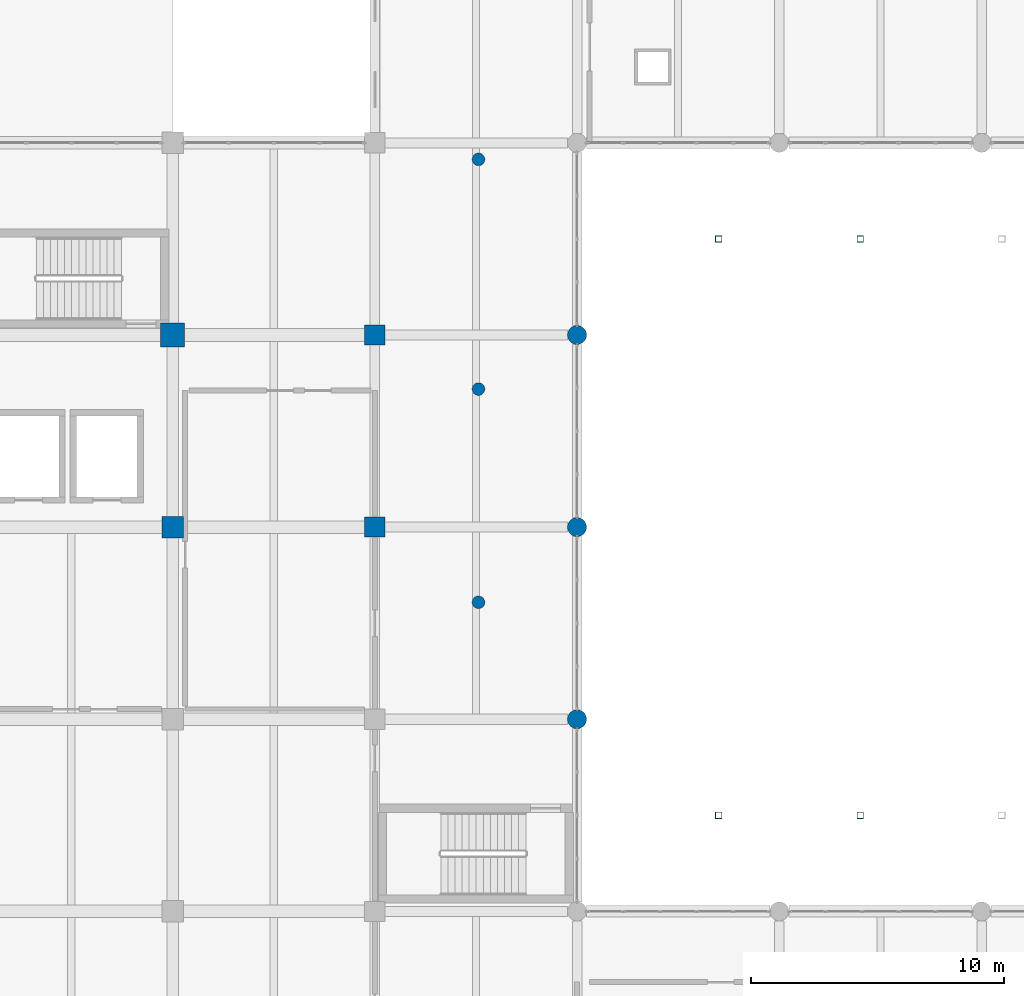
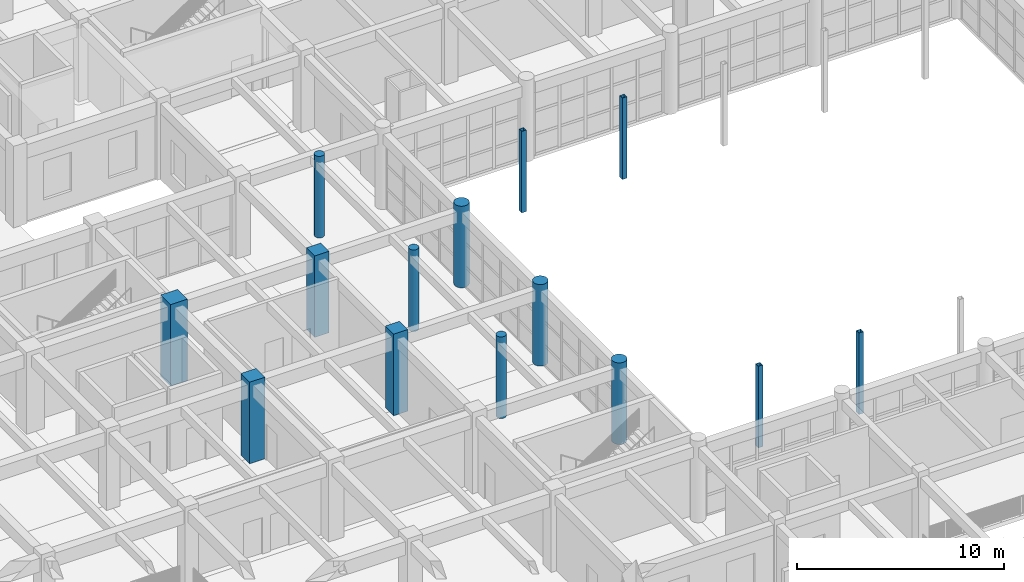
# One storey, part 2 of 101: 14 columns.
"""IFC4 building model written with IfcOpenShell, lengths in metres."""

from ifc_helpers import new_model, si_unit, direction, frame, origin, origin_2d, place, context, subcontext, project, spatial, rectangle, hollow_rectangle, circle, extrude, material, material_profile, profile_set, type_object, element, save


model = new_model("IFC4")

# Units and contexts
model_context = context("Model", 3, precision=1e-05, world=origin(), true_north=direction((0.0, 1.0)))
body_context = subcontext(model_context, "Body", "Model", "MODEL_VIEW")
ifc_project = project(units=[si_unit("LENGTHUNIT", "METRE"), si_unit("AREAUNIT", "SQUARE_METRE"), si_unit("VOLUMEUNIT", "CUBIC_METRE"), si_unit("PLANEANGLEUNIT", "RADIAN"), si_unit("MASSUNIT", "GRAM", prefix="KILO")], contexts=[model_context])

# Site, building, storey
site_placement = place(None, origin())
site = spatial("IfcSite", under=ifc_project, at=site_placement, CompositionType="ELEMENT")
building_placement = place(site_placement, origin())
building = spatial("IfcBuilding", under=site, at=building_placement, Name="Zantavel Square City Hall", CompositionType="ELEMENT")
storey_placement = place(building_placement, frame((0.0, 0.0, 5.39990234375)))
storey = spatial("IfcBuildingStorey", under=building, at=storey_placement, Name="L02", CompositionType="ELEMENT", Elevation=5.39990234375)

# Columns
ifc_material_1 = material(Name="Concrete C40/50", Category="concrete")
ifc_material_profile_1 = material_profile(ifc_material_1, rectangle(XDim=0.800048828125, YDim=0.800048828125, at=origin_2d()), Name="RC 800x800")
ifc_profile_set_1 = profile_set([ifc_material_profile_1], Name="Concrete C40/50")
column_type_1 = type_object("IfcColumnType", Name="Column RC 800x800 C40/50", PredefinedType="COLUMN", material=ifc_profile_set_1)
for number, where, z_axis, x_axis, name in (
    (1, (112.0, 53.199951171875, 0.0), (0.0, 0.0, 1.0), (1.0, 0.0, 0.0), "L02 Column COL-L02-1120-0532"),
    (2, (112.0, 60.800048828125, 0.0), (0.0, 0.0, 1.0), (1.0, 0.0, 0.0), "L02 Column COL-L02-1120-0608"),
):
    element("IfcColumn", number, at=place(storey_placement, frame(where, z_axis=z_axis, x_axis=x_axis)), inside=storey, type_object=column_type_1, Name=name, PredefinedType="COLUMN", context=body_context, shape_type="SweptSolid", body=[
        extrude(rectangle(XDim=0.800048828125, YDim=0.800048828125, at=origin_2d()), origin(), (0.0, 0.0, 1.0), 4.800048828125),
    ])
ifc_material_profile_2 = material_profile(ifc_material_1, rectangle(XDim=0.85009765625, YDim=0.85009765625, at=origin_2d()), Name="RC 850x850")
ifc_profile_set_2 = profile_set([ifc_material_profile_2], Name="Concrete C40/50")
column_type_2 = type_object("IfcColumnType", Name="Column RC 850x850 C40/50", PredefinedType="COLUMN", material=ifc_profile_set_2)
column_1_placement = place(storey_placement, frame((104.0, 53.199951171875, 0.0), z_axis=(0.0, 0.0, 1.0), x_axis=(1.0, 0.0, 0.0)))
element("IfcColumn", 3, at=column_1_placement, inside=storey, type_object=column_type_2, Name="L02 Column COL-L02-1040-0532", PredefinedType="COLUMN", context=body_context, shape_type="SweptSolid", body=[
    extrude(rectangle(XDim=0.85009765625, YDim=0.85009765625, at=origin_2d()), origin(), (0.0, 0.0, 1.0), 4.800048828125),
])
ifc_material_profile_3 = material_profile(ifc_material_1, circle(Radius=0.375, at=origin_2d()), Name="ROUND D750")
ifc_profile_set_3 = profile_set([ifc_material_profile_3], Name="Concrete C40/50")
column_type_3 = type_object("IfcColumnType", Name="Courtyard Ionic Column D750 C40/50", PredefinedType="COLUMN", material=ifc_profile_set_3)
for number, where, z_axis, x_axis, name in (
    (4, (120.0, 45.60009765625, 0.0), (0.0, 0.0, 1.0), (1.0, 0.0, 0.0), "L02 Column COL-L02-1200-0456"),
    (5, (120.0, 53.199951171875, 0.0), (0.0, 0.0, 1.0), (1.0, 0.0, 0.0), "L02 Column COL-L02-1200-0532"),
    (6, (120.0, 60.800048828125, 0.0), (0.0, 0.0, 1.0), (1.0, 0.0, 0.0), "L02 Column COL-L02-1200-0608"),
):
    element("IfcColumn", number, at=place(storey_placement, frame(where, z_axis=z_axis, x_axis=x_axis)), inside=storey, type_object=column_type_3, Name=name, PredefinedType="COLUMN", context=body_context, shape_type="SweptSolid", body=[
        extrude(circle(Radius=0.375, at=origin_2d()), origin(), (0.0, 0.0, 1.0), 4.800048828125),
    ])
ifc_material_2 = material(Name="Steel ASTM A500 Grade B", Category="steel")
ifc_material_profile_4 = material_profile(ifc_material_2, hollow_rectangle(XDim=0.25390625, YDim=0.25390625, WallThickness=0.0126953125, at=origin_2d()), Name="HSS 254x254x12.7")
ifc_profile_set_4 = profile_set([ifc_material_profile_4], Name="Steel ASTM A500 Grade B")
column_type_4 = type_object("IfcColumnType", Name="Pavilion Steel Column HSS254", PredefinedType="COLUMN", material=ifc_profile_set_4)
for number, where, z_axis, x_axis, name in (
    (7, (125.60009765625, 41.800048828125, 0.0), (0.0, 0.0, 1.0), (1.0, 0.0, 0.0), "L02 Courtyard Skylight Column 1-S"),
    (8, (125.60009765625, 64.60009765625, 0.0), (0.0, 0.0, 1.0), (1.0, 0.0, 0.0), "L02 Courtyard Skylight Column 1-N"),
    (9, (131.199951171875, 41.800048828125, 0.0), (0.0, 0.0, 1.0), (1.0, 0.0, 0.0), "L02 Courtyard Skylight Column 2-S"),
    (10, (131.199951171875, 64.60009765625, 0.0), (0.0, 0.0, 1.0), (1.0, 0.0, 0.0), "L02 Courtyard Skylight Column 2-N"),
):
    element("IfcColumn", number, at=place(storey_placement, frame(where, z_axis=z_axis, x_axis=x_axis)), inside=storey, type_object=column_type_4, Name=name, PredefinedType="COLUMN", context=body_context, shape_type="SweptSolid", body=[
        extrude(hollow_rectangle(XDim=0.25390625, YDim=0.25390625, WallThickness=0.0126953125, at=origin_2d()), origin(), (0.0, 0.0, 1.0), 4.800048828125),
    ])
ifc_material_profile_5 = material_profile(ifc_material_1, circle(Radius=0.25, at=origin_2d()), Name="ROUND D500")
ifc_profile_set_5 = profile_set([ifc_material_profile_5], Name="Concrete C40/50")
column_type_5 = type_object("IfcColumnType", Name="Portico Canopy Classical Column D500 C40/50", PredefinedType="COLUMN", material=ifc_profile_set_5)
for number, where, z_axis, x_axis, name in (
    (11, (116.10009765625, 50.22509765625, 0.0), (0.0, 0.0, 1.0), (1.0, 0.0, 0.0), "L02 Terrace Stair Loggia Column 1"),
    (12, (116.10009765625, 58.659912109375, 0.0), (0.0, 0.0, 1.0), (1.0, 0.0, 0.0), "L02 Terrace Stair Loggia Column 2"),
    (13, (116.10009765625, 67.7451171875, 0.0), (0.0, 0.0, 1.0), (1.0, 0.0, 0.0), "L02 Terrace Stair Loggia Column 3"),
):
    element("IfcColumn", number, at=place(storey_placement, frame(where, z_axis=z_axis, x_axis=x_axis)), inside=storey, type_object=column_type_5, Name=name, PredefinedType="COLUMN", context=body_context, shape_type="SweptSolid", body=[
        extrude(circle(Radius=0.25, at=origin_2d()), origin(), (0.0, 0.0, 1.0), 4.800048828125),
    ])
ifc_material_profile_6 = material_profile(ifc_material_1, rectangle(XDim=0.949951171875, YDim=0.949951171875, at=origin_2d()), Name="RC 950x950")
ifc_profile_set_6 = profile_set([ifc_material_profile_6], Name="Concrete C40/50")
column_type_6 = type_object("IfcColumnType", Name="Vault Corner Pier Column RC 950x950 C40/50", PredefinedType="COLUMN", material=ifc_profile_set_6)
column_2_placement = place(storey_placement, frame((104.0, 60.800048828125, 0.0), z_axis=(0.0, 0.0, 1.0), x_axis=(1.0, 0.0, 0.0)))
element("IfcColumn", 14, at=column_2_placement, inside=storey, type_object=column_type_6, Name="L02 Column COL-L02-1040-0608", PredefinedType="COLUMN", context=body_context, shape_type="SweptSolid", body=[
    extrude(rectangle(XDim=0.949951171875, YDim=0.949951171875, at=origin_2d()), origin(), (0.0, 0.0, 1.0), 4.800048828125),
])

save(model, "model.ifc")
